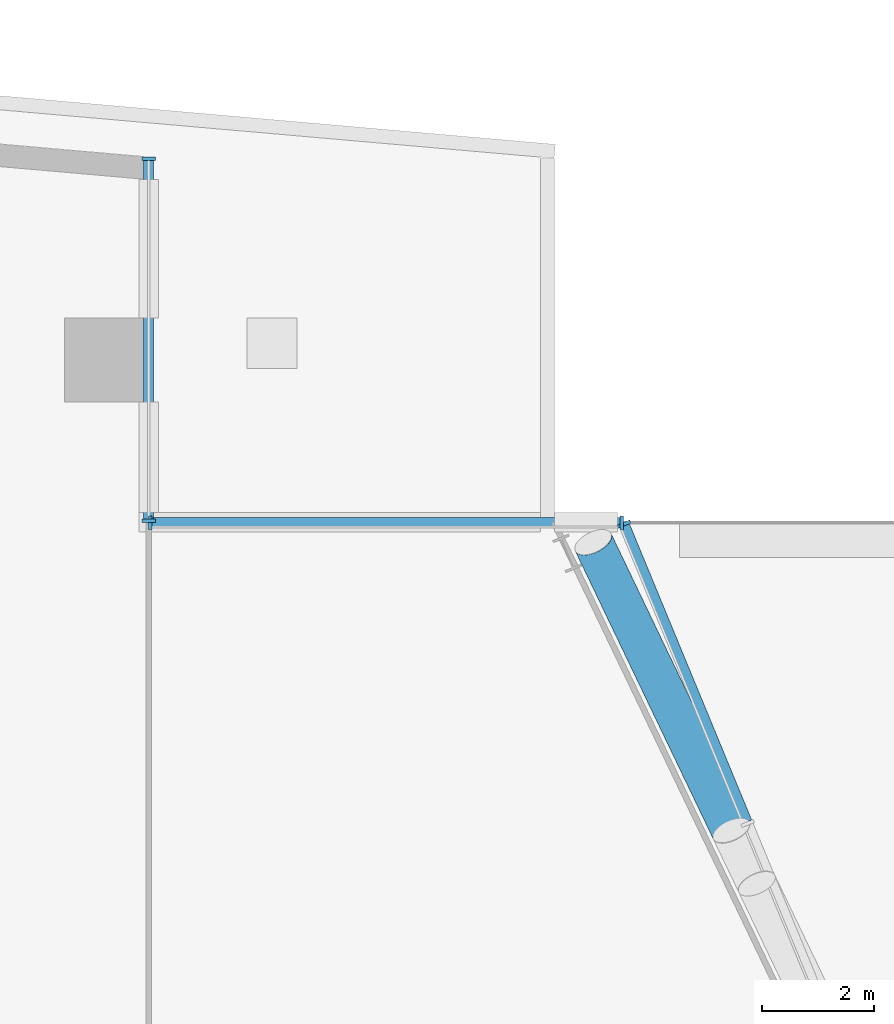
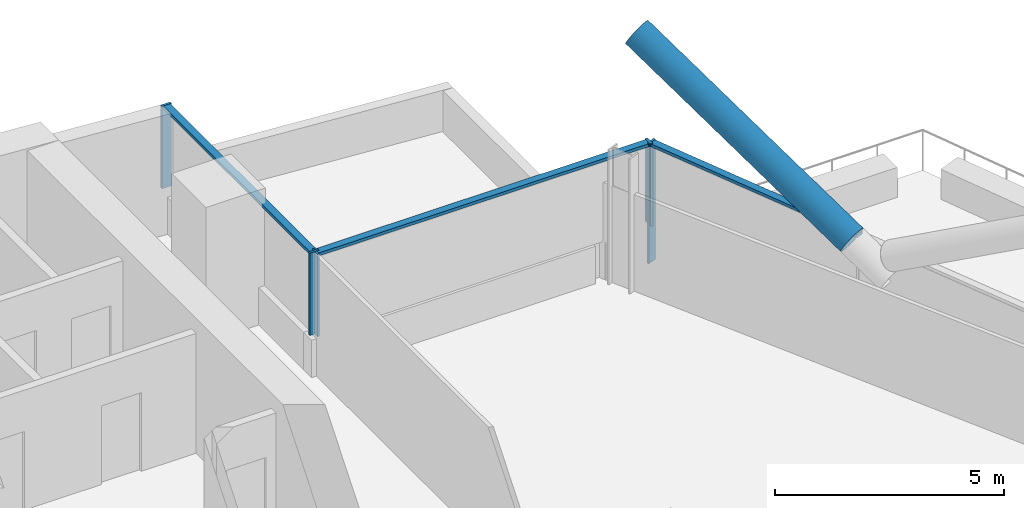
# One storey, part 10 of 30: 9 members, 3 elements without a shape of their own.
"""IFC4 building model written with IfcOpenShell, lengths in metres."""

from ifc_helpers import new_model, si_unit, direction, frame, origin, origin_2d, place, context, subcontext, project, spatial, rectangle, hollow_circle, extrude, material, material_profile, profile_set, type_object, element, aggregate, save


model = new_model("IFC4")

# Units and contexts
model_context = context("Model", 3, precision=1e-05, world=origin(), true_north=direction((0.0, 1.0)))
body_context = subcontext(model_context, "Body", "Model", "MODEL_VIEW")
ifc_project = project(units=[si_unit("LENGTHUNIT", "METRE"), si_unit("AREAUNIT", "SQUARE_METRE"), si_unit("VOLUMEUNIT", "CUBIC_METRE"), si_unit("PLANEANGLEUNIT", "RADIAN"), si_unit("MASSUNIT", "GRAM", prefix="KILO")], contexts=[model_context])

# Site, building, storey
site_placement = place(None, origin())
site = spatial("IfcSite", under=ifc_project, at=site_placement, CompositionType="ELEMENT")
building_placement = place(site_placement, origin())
building = spatial("IfcBuilding", under=site, at=building_placement, Name="Wharfspan Tower", CompositionType="ELEMENT")
storey_placement = place(building_placement, frame((0.0, 0.0, 151.899902)))
storey = spatial("IfcBuildingStorey", under=building, at=storey_placement, Name="L36", CompositionType="ELEMENT", Elevation=151.899902)

# Curtain wall, member
ifc_material_1 = material(Name="Aluminium 6063-T6", Category="aluminium")
curtain_wall_type = type_object("IfcCurtainWallType", Name="CURTAIN WALL PROW AND END", PredefinedType="NOTDEFINED", material=ifc_material_1)
curtain_wall_1_placement = place(storey_placement, origin())
curtain_wall_1 = element("IfcCurtainWall", 1, at=curtain_wall_1_placement, inside=storey, type_object=curtain_wall_type, Name="Curtain wall E", PredefinedType="NOTDEFINED")
ifc_material_profile_1 = material_profile(ifc_material_1, rectangle(XDim=0.23999, YDim=0.060059, at=origin_2d()))
ifc_profile_set_1 = profile_set([ifc_material_profile_1], Name="Aluminium 6063-T6")
member_type_1 = type_object("IfcMemberType", Name="MULLION PROW AND END 60x240", PredefinedType="MULLION", material=ifc_profile_set_1)
member_1_placement = place(storey_placement, frame((69.488525, 41.972168, 0.0), z_axis=(0.0, 0.0, 1.0), x_axis=(-0.924325, -0.381602, 0.0)))
member_1 = element("IfcMember", 2, at=member_1_placement, type_object=member_type_1, Name="Curtain wall E mullion 8", PredefinedType="MULLION", context=body_context, shape_type="SweptSolid", body=[
    extrude(rectangle(XDim=0.23999, YDim=0.060059, at=origin_2d()), origin(), (0.0, 0.0, 1.0), 3.200195),
])

# Curtain wall, members
curtain_wall_2_placement = place(storey_placement, origin())
curtain_wall_2 = element("IfcCurtainWall", 3, at=curtain_wall_2_placement, inside=storey, type_object=curtain_wall_type, Name="Curtain wall NRE-H", PredefinedType="NOTDEFINED")
member_2_placement = place(storey_placement, frame((69.447021, 42.0, 1.0), z_axis=(0.0, 0.0, 1.0), x_axis=(0.0, -1.0, 0.0)))
member_2 = element("IfcMember", 4, at=member_2_placement, type_object=member_type_1, Name="Curtain wall NRE-H mullion 1", PredefinedType="MULLION", context=body_context, shape_type="SweptSolid", body=[
    extrude(rectangle(XDim=0.23999, YDim=0.060059, at=origin_2d()), origin(), (0.0, 0.0, 1.0), 2.200195),
])
member_3_placement = place(storey_placement, frame((61.030029, 42.0, 1.0), z_axis=(0.0, 0.0, 1.0), x_axis=(0.0, -1.0, 0.0)))
member_3 = element("IfcMember", 5, at=member_3_placement, type_object=member_type_1, Name="Curtain wall NRE-H mullion 2", PredefinedType="MULLION", context=body_context, shape_type="SweptSolid", body=[
    extrude(rectangle(XDim=0.23999, YDim=0.060059, at=origin_2d()), origin(), (0.0, 0.0, 1.0), 2.200195),
])

curtain_wall_3_placement = place(storey_placement, origin())
curtain_wall_3 = element("IfcCurtainWall", 6, at=curtain_wall_3_placement, inside=storey, type_object=curtain_wall_type, Name="Curtain wall NRE-V", PredefinedType="NOTDEFINED")
member_4_placement = place(storey_placement, frame((61.0, 42.030029, 1.0), z_axis=(0.0, 0.0, 1.0), x_axis=(-1.0, 0.0, 0.0)))
member_4 = element("IfcMember", 7, at=member_4_placement, type_object=member_type_1, Name="Curtain wall NRE-V mullion 1", PredefinedType="MULLION", context=body_context, shape_type="SweptSolid", body=[
    extrude(rectangle(XDim=0.23999, YDim=0.060059, at=origin_2d()), origin(), (0.0, 0.0, 1.0), 2.200195),
])
member_5_placement = place(storey_placement, frame((61.0, 48.494873, 1.0), z_axis=(0.0, 0.0, 1.0), x_axis=(-1.0, 0.0, 0.0)))
member_5 = element("IfcMember", 8, at=member_5_placement, type_object=member_type_1, Name="Curtain wall NRE-V mullion 2", PredefinedType="MULLION", context=body_context, shape_type="SweptSolid", body=[
    extrude(rectangle(XDim=0.23999, YDim=0.060059, at=origin_2d()), origin(), (0.0, 0.0, 1.0), 2.200195),
])

# Member
ifc_material_2 = material(Name="Steel S460NH", Category="steel")
ifc_material_profile_2 = material_profile(ifc_material_2, hollow_circle(Radius=0.355469, WallThickness=0.035889, at=origin_2d()))
ifc_profile_set_2 = profile_set([ifc_material_profile_2], Name="Steel S460NH")
member_type_2 = type_object("IfcMemberType", Name="Mega brace CHS 711x36", PredefinedType="BRACE", material=ifc_profile_set_2)
member_6_placement = place(storey_placement, frame((71.401123, 36.504395, 3.205811), z_axis=(-0.374119, 0.780731, 0.500494), x_axis=(-0.90181, -0.432137, -3e-06)))
element("IfcMember", 9, at=member_6_placement, inside=storey, type_object=member_type_2, Name="Mega brace E6 L36 part 2", PredefinedType="BRACE", context=body_context, shape_type="SweptSolid", body=[
    extrude(hollow_circle(Radius=0.355469, WallThickness=0.035889, at=origin_2d()), origin(), (0.0, 0.0, 1.0), 6.581787),
])

ifc_material_profile_3 = material_profile(ifc_material_1, rectangle(XDim=0.179932, YDim=0.080078, at=origin_2d()))
ifc_profile_set_3 = profile_set([ifc_material_profile_3], Name="Aluminium 6063-T6")
member_type_3 = type_object("IfcMemberType", Name="TRANSOM PROW AND END 80x180", PredefinedType="USERDEFINED", material=ifc_profile_set_3)
member_7_placement = place(storey_placement, frame((71.683105, 36.65625, 3.160156), z_axis=(-0.38158, 0.924336, 0.0), x_axis=(-0.924336, -0.38158, 0.0)))
member_7 = element("IfcMember", 10, at=member_7_placement, type_object=member_type_3, Name="Curtain wall E transom 7", ObjectType="TRANSOM", PredefinedType="USERDEFINED", context=body_context, shape_type="SweptSolid", body=[
    extrude(rectangle(XDim=0.179932, YDim=0.080078, at=origin_2d()), origin(), (0.0, 0.0, 1.0), 5.721191),
])

aggregate(curtain_wall_1, [member_1, member_7])

member_8_placement = place(storey_placement, frame((69.416992, 42.0, 3.160156), z_axis=(-1.0, 0.0, 0.0), x_axis=(0.0, -1.0, 0.0)))
member_8 = element("IfcMember", 11, at=member_8_placement, type_object=member_type_3, Name="Curtain wall NRE-H transom 1", ObjectType="TRANSOM", PredefinedType="USERDEFINED", context=body_context, shape_type="SweptSolid", body=[
    extrude(rectangle(XDim=0.179932, YDim=0.080078, at=origin_2d()), origin(), (0.0, 0.0, 1.0), 8.356934),
])

aggregate(curtain_wall_2, [member_2, member_3, member_8])

member_9_placement = place(storey_placement, frame((61.0, 42.060059, 3.160156), z_axis=(0.0, 1.0, 0.0), x_axis=(-1.0, 0.0, 0.0)))
member_9 = element("IfcMember", 12, at=member_9_placement, type_object=member_type_3, Name="Curtain wall NRE-V transom 1", ObjectType="TRANSOM", PredefinedType="USERDEFINED", context=body_context, shape_type="SweptSolid", body=[
    extrude(rectangle(XDim=0.179932, YDim=0.080078, at=origin_2d()), origin(), (0.0, 0.0, 1.0), 6.404785),
])

aggregate(curtain_wall_3, [member_4, member_5, member_9])

save(model, "model.ifc")
